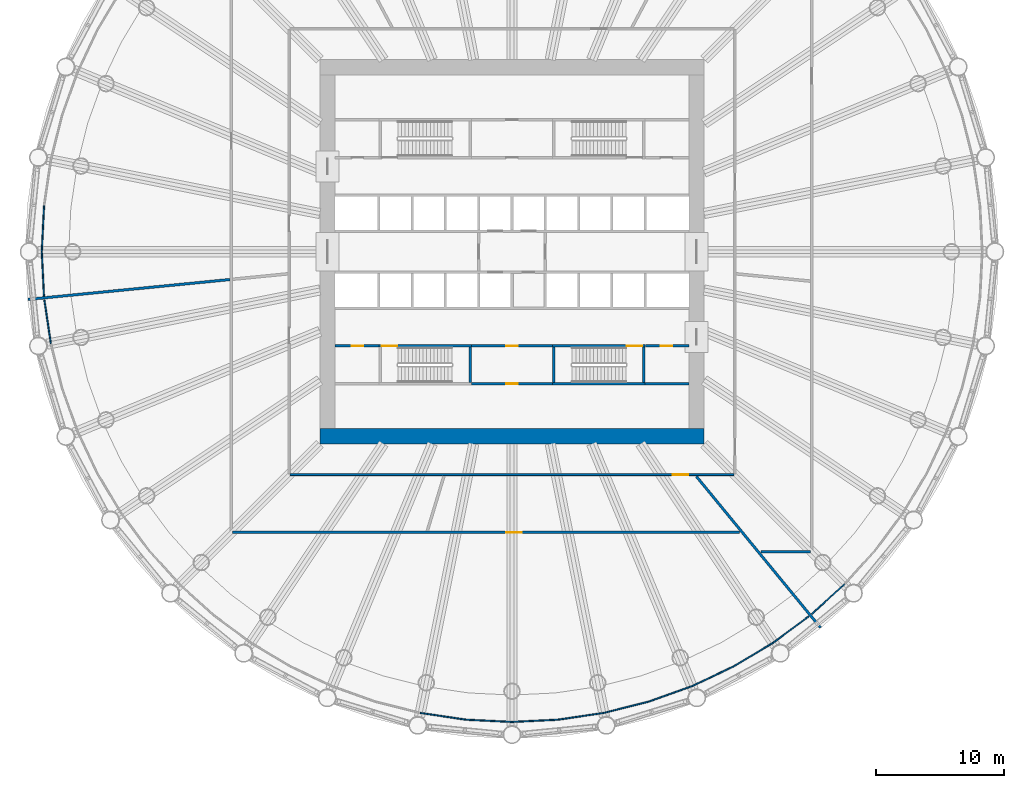
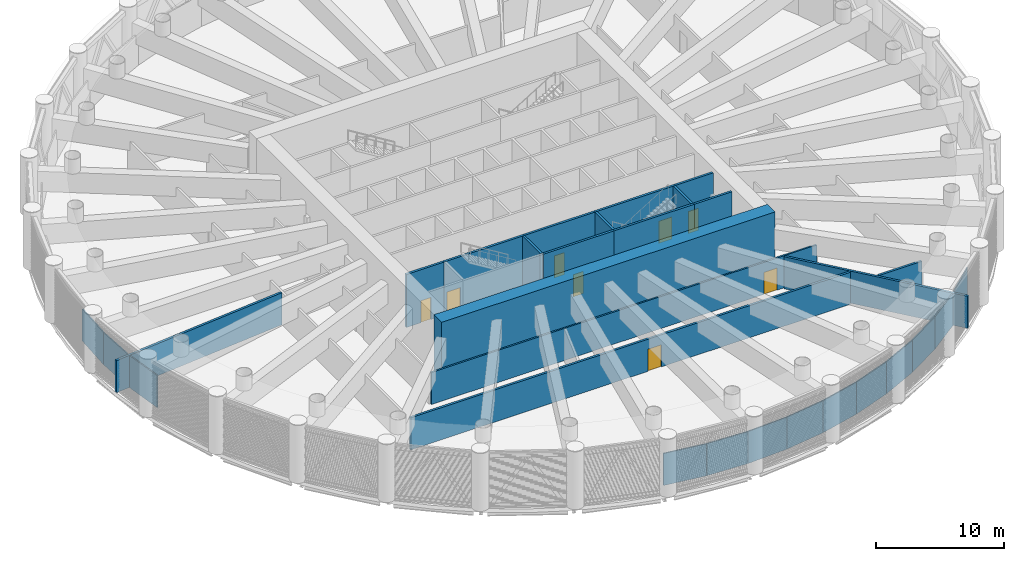
# One storey, part 8 of 26: 30 walls, 8 doors, 8 openings.
"""IFC4 building model written with IfcOpenShell, lengths in metres."""

from ifc_helpers import new_model, si_unit, direction, frame, frame_2d, origin, place, context, subcontext, project, spatial, polyline, rectangle, outline, extrude, material, layer, layer_set, type_object, element, fill, save


model = new_model("IFC4")

# Units and contexts
model_context = context("Model", 3, precision=1e-05, world=origin(), true_north=direction((0.0, 1.0)))
body_context = subcontext(model_context, "Body", "Model", "MODEL_VIEW")
ifc_project = project(units=[si_unit("LENGTHUNIT", "METRE"), si_unit("AREAUNIT", "SQUARE_METRE"), si_unit("VOLUMEUNIT", "CUBIC_METRE"), si_unit("PLANEANGLEUNIT", "RADIAN"), si_unit("MASSUNIT", "GRAM", prefix="KILO")], contexts=[model_context])

# Site, building, storey
site_placement = place(None, origin())
site = spatial("IfcSite", under=ifc_project, at=site_placement, CompositionType="ELEMENT")
building_placement = place(site_placement, origin())
building = spatial("IfcBuilding", under=site, at=building_placement, Name="Corvane Civic Tower", CompositionType="ELEMENT")
storey_placement = place(building_placement, frame((0.0, 0.0, 85.0)))
storey = spatial("IfcBuildingStorey", under=building, at=storey_placement, Name="L19", CompositionType="ELEMENT", Elevation=85.0)

# Wall
ifc_material_1 = material(Name="Concrete C80/95", Category="concrete")
ifc_layer_1 = layer(ifc_material_1, 1.199951171875)
ifc_layer_set_1 = layer_set([ifc_layer_1], Name="Concrete C80/95")
wall_type_1 = type_object("IfcWallType", Name="CORE WALL 1200 C80/95", PredefinedType="SHEAR", material=ifc_layer_set_1)
wall_1_placement = place(storey_placement, frame((-15.0, -14.39990234375, 0.0), z_axis=(0.0, 0.0, 1.0), x_axis=(1.0, 0.0, 0.0)))
element("IfcWall", 1, at=wall_1_placement, inside=storey, type_object=wall_type_1, Name="W-L19-core-S", PredefinedType="SHEAR", context=body_context, shape_type="SweptSolid", body=[
    extrude(rectangle(XDim=30.0, YDim=1.199951171875, at=frame_2d((15.0, 0.0))), origin(), (0.0, 0.0, 1.0), 5.5),
])

# Wall, opening, door
ifc_material_2 = material(Name="Concrete C30/37", Category="concrete")
ifc_layer_2 = layer(ifc_material_2, 0.199951171875)
ifc_layer_set_2 = layer_set([ifc_layer_2], Name="Concrete C30/37")
wall_type_2 = type_object("IfcWallType", Name="CR-WALL-200", PredefinedType="PARTITIONING", material=ifc_layer_set_2)
wall_2_placement = place(storey_placement, frame((-3.14990234375, -10.300048828125, 0.0), z_axis=(0.0, 0.0, 1.0), x_axis=(1.0, 0.0, 0.0)))
wall_2 = element("IfcWall", 2, at=wall_2_placement, inside=storey, type_object=wall_type_2, Name="L19 partition wall", PredefinedType="PARTITIONING", context=body_context, shape_type="SweptSolid", body=[
    extrude(rectangle(XDim=6.2998046875, YDim=0.199951171875, at=frame_2d((3.14990234375, 0.0))), origin(), (0.0, 0.0, 1.0), 5.050048828125),
])
opening_1_placement = place(wall_2_placement, frame((2.699951171875, 0.0, 0.0)))
opening_1 = element("IfcOpeningElement", 3, at=opening_1_placement, cuts=wall_2, Name="Opening L19.C05", PredefinedType="OPENING", context=body_context, shape_type="SweptSolid", body=[
    extrude(rectangle(XDim=0.89990234375, YDim=2.10009765625, at=frame_2d((0.449951171875, 1.050048828125))), frame((0.0, 0.10986328125, 0.0), z_axis=(0.0, -1.0, 0.0), x_axis=(1.0, 0.0, 0.0)), (0.0, 0.0, 1.0), 0.219970703125),
])
ifc_material_3 = material(Name="Steel fire door leaf", Category="steel")
door_type_1 = type_object("IfcDoorType", Name="CR-DOOR-900", OperationType="SINGLE_SWING_LEFT", PredefinedType="DOOR", material=ifc_material_3)
door_1_placement = place(opening_1_placement, origin())
door_1 = element("IfcDoor", 4, at=door_1_placement, inside=storey, type_object=door_type_1, Name="L19 door", OperationType="SINGLE_SWING_LEFT", OverallHeight=2.10009765625, OverallWidth=0.89990234375, PredefinedType="DOOR", context=body_context, shape_type="SweptSolid", body=[
    extrude(rectangle(XDim=0.89990234375, YDim=2.10009765625, at=frame_2d((0.449951171875, 1.050048828125))), frame((0.0, 0.02490234375, 0.0), z_axis=(0.0, -1.0, 0.0), x_axis=(1.0, 0.0, 0.0)), (0.0, 0.0, 1.0), 0.050048828125),
])
fill(opening_1, door_1)

wall_3_placement = place(storey_placement, frame((-13.800048828125, -7.35009765625, 0.0), z_axis=(0.0, 0.0, 1.0), x_axis=(1.0, 0.0, 0.0)))
wall_3 = element("IfcWall", 5, at=wall_3_placement, inside=storey, type_object=wall_type_2, Name="L19 core partition wall", PredefinedType="PARTITIONING", context=body_context, shape_type="SweptSolid", body=[
    extrude(rectangle(XDim=3.400146484375, YDim=0.199951171875, at=frame_2d((1.7001953125, 0.0))), origin(), (0.0, 0.0, 1.0), 5.050048828125),
])
opening_2_placement = place(wall_3_placement, frame((1.300048828125, 0.0, 0.0)))
opening_2 = element("IfcOpeningElement", 6, at=opening_2_placement, cuts=wall_3, Name="Opening L19.C07", PredefinedType="OPENING", context=body_context, shape_type="SweptSolid", body=[
    extrude(rectangle(XDim=0.89990234375, YDim=2.10009765625, at=frame_2d((0.449951171875, 1.050048828125))), frame((0.0, 0.10986328125, 0.0), z_axis=(0.0, -1.0, 0.0), x_axis=(1.0, 0.0, 0.0)), (0.0, 0.0, 1.0), 0.219970703125),
])
door_2_placement = place(opening_2_placement, origin())
door_2 = element("IfcDoor", 7, at=door_2_placement, inside=storey, type_object=door_type_1, Name="L19 door", OperationType="SINGLE_SWING_LEFT", OverallHeight=2.10009765625, OverallWidth=0.89990234375, PredefinedType="DOOR", context=body_context, shape_type="SweptSolid", body=[
    extrude(rectangle(XDim=0.89990234375, YDim=2.10009765625, at=frame_2d((0.449951171875, 1.050048828125))), frame((0.0, 0.02490234375, 0.0), z_axis=(0.0, -1.0, 0.0), x_axis=(1.0, 0.0, 0.0)), (0.0, 0.0, 1.0), 0.050048828125),
])
fill(opening_2, door_2)

wall_4_placement = place(storey_placement, frame((-3.14990234375, -7.35009765625, 0.0), z_axis=(0.0, 0.0, 1.0), x_axis=(1.0, 0.0, 0.0)))
wall_4 = element("IfcWall", 8, at=wall_4_placement, inside=storey, type_object=wall_type_2, Name="L19 core partition wall", PredefinedType="PARTITIONING", context=body_context, shape_type="SweptSolid", body=[
    extrude(rectangle(XDim=6.2998046875, YDim=0.199951171875, at=frame_2d((3.14990234375, 0.0))), origin(), (0.0, 0.0, 1.0), 5.050048828125),
])
opening_3_placement = place(wall_4_placement, frame((2.699951171875, 0.0, 0.0)))
opening_3 = element("IfcOpeningElement", 9, at=opening_3_placement, cuts=wall_4, Name="Opening L19.C03", PredefinedType="OPENING", context=body_context, shape_type="SweptSolid", body=[
    extrude(rectangle(XDim=0.89990234375, YDim=2.10009765625, at=frame_2d((0.449951171875, 1.050048828125))), frame((0.0, 0.10986328125, 0.0), z_axis=(0.0, -1.0, 0.0), x_axis=(1.0, 0.0, 0.0)), (0.0, 0.0, 1.0), 0.219970703125),
])
door_3_placement = place(opening_3_placement, origin())
door_3 = element("IfcDoor", 10, at=door_3_placement, inside=storey, type_object=door_type_1, Name="L19 door", OperationType="SINGLE_SWING_LEFT", OverallHeight=2.10009765625, OverallWidth=0.89990234375, PredefinedType="DOOR", context=body_context, shape_type="SweptSolid", body=[
    extrude(rectangle(XDim=0.89990234375, YDim=2.10009765625, at=frame_2d((0.449951171875, 1.050048828125))), frame((0.0, 0.02490234375, 0.0), z_axis=(0.0, -1.0, 0.0), x_axis=(1.0, 0.0, 0.0)), (0.0, 0.0, 1.0), 0.050048828125),
])
fill(opening_3, door_3)

wall_5_placement = place(storey_placement, frame((10.39990234375, -7.35009765625, 0.0), z_axis=(0.0, 0.0, 1.0), x_axis=(1.0, 0.0, 0.0)))
wall_5 = element("IfcWall", 11, at=wall_5_placement, inside=storey, type_object=wall_type_2, Name="L19 core partition wall", PredefinedType="PARTITIONING", context=body_context, shape_type="SweptSolid", body=[
    extrude(rectangle(XDim=3.400146484375, YDim=0.199951171875, at=frame_2d((1.7001953125, 0.0))), origin(), (0.0, 0.0, 1.0), 5.050048828125),
])
opening_4_placement = place(wall_5_placement, frame((1.199951171875, 0.0, 0.0)))
opening_4 = element("IfcOpeningElement", 12, at=opening_4_placement, cuts=wall_5, Name="Opening L19.C09", PredefinedType="OPENING", context=body_context, shape_type="SweptSolid", body=[
    extrude(rectangle(XDim=0.89990234375, YDim=2.10009765625, at=frame_2d((0.449951171875, 1.050048828125))), frame((0.0, 0.10986328125, 0.0), z_axis=(0.0, -1.0, 0.0), x_axis=(1.0, 0.0, 0.0)), (0.0, 0.0, 1.0), 0.219970703125),
])
door_4_placement = place(opening_4_placement, origin())
door_4 = element("IfcDoor", 13, at=door_4_placement, inside=storey, type_object=door_type_1, Name="L19 door", OperationType="SINGLE_SWING_LEFT", OverallHeight=2.10009765625, OverallWidth=0.89990234375, PredefinedType="DOOR", context=body_context, shape_type="SweptSolid", body=[
    extrude(rectangle(XDim=0.89990234375, YDim=2.10009765625, at=frame_2d((0.449951171875, 1.050048828125))), frame((0.0, 0.02490234375, 0.0), z_axis=(0.0, -1.0, 0.0), x_axis=(1.0, 0.0, 0.0)), (0.0, 0.0, 1.0), 0.050048828125),
])
fill(opening_4, door_4)

# Walls
wall_6_placement = place(storey_placement, origin())
element("IfcWall", 14, at=wall_6_placement, inside=storey, type_object=wall_type_2, Name="L19 core partition wall", PredefinedType="PARTITIONING", context=body_context, shape_type="SweptSolid", body=[
    extrude(outline(polyline([(13.800048828125, -10.39990234375), (10.39990234375, -10.39990234375), (10.39990234375, -10.199951171875), (13.800048828125, -10.199951171875), (13.800048828125, -10.39990234375)])), origin(), (0.0, 0.0, 1.0), 5.050048828125),
])
ifc_material_4 = material(Name="Plasterboard")
ifc_layer_3 = layer(ifc_material_4, 0.10009765625)
ifc_layer_set_3 = layer_set([ifc_layer_3], Name="Plasterboard")
wall_type_3 = type_object("IfcWallType", Name="Partition 100 plasterboard on studs", PredefinedType="PARTITIONING", material=ifc_layer_set_3)
for number, where, z_axis, x_axis, name in (
    (15, (-36.69873046875, 0.0, 0.0), (0.0, 0.0, 1.0), (0.049093274151, -0.998794198238, 0.0), "Partition L19.018"),
    (16, (-36.50146484375, -3.73583984375, 0.0), (0.0, 0.0, 1.0), (0.146712261814, -0.989179211384, 0.0), "Partition L19.021"),
):
    element("IfcWall", number, at=place(storey_placement, frame(where, z_axis=z_axis, x_axis=x_axis)), inside=storey, type_object=wall_type_3, Name=name, PredefinedType="PARTITIONING", context=body_context, shape_type="SweptSolid", body=[
        extrude(rectangle(XDim=3.461181640625, YDim=0.10009765625, at=frame_2d((1.73046875, 0.0))), origin(), (0.0, 0.0, 1.0), 3.050048828125),
    ])
for number, where, z_axis, x_axis, name in (
    (17, (-7.15966796875, -35.99365234375, 0.0), (0.0, 0.0, 1.0), (0.989181613204, -0.14669606709, 0.0), "Partition L19.046"),
    (18, (-3.59716796875, -36.52197265625, 0.0), (0.0, 0.0, 1.0), (0.998794907992, -0.049078832183, 0.0), "Partition L19.048"),
    (19, (0.0, -36.69873046875, 0.0), (0.0, 0.0, 1.0), (0.998794907992, 0.049078832183, 0.0), "Partition L19.050"),
    (20, (3.59716796875, -36.52197265625, 0.0), (0.0, 0.0, 1.0), (0.989181613204, 0.14669606709, 0.0), "Partition L19.052"),
):
    element("IfcWall", number, at=place(storey_placement, frame(where, z_axis=z_axis, x_axis=x_axis)), inside=storey, type_object=wall_type_3, Name=name, PredefinedType="PARTITIONING", context=body_context, shape_type="SweptSolid", body=[
        extrude(rectangle(XDim=3.6015625, YDim=0.10009765625, at=frame_2d((1.80078125, 0.0))), origin(), (0.0, 0.0, 1.0), 3.050048828125),
    ])
for number, where, z_axis, x_axis, name in (
    (21, (7.15966796875, -35.99365234375, 0.0), (0.0, 0.0, 1.0), (0.970018755588, 0.243030067704, 0.0), "Partition L19.054"),
    (22, (10.653076171875, -35.118408203125, 0.0), (0.0, 0.0, 1.0), (0.94155618516, 0.336855978405, 0.0), "Partition L19.056"),
    (23, (14.0439453125, -33.9052734375, 0.0), (0.0, 0.0, 1.0), (0.903988907608, 0.427555908533, 0.0), "Partition L19.058"),
):
    element("IfcWall", number, at=place(storey_placement, frame(where, z_axis=z_axis, x_axis=x_axis)), inside=storey, type_object=wall_type_3, Name=name, PredefinedType="PARTITIONING", context=body_context, shape_type="SweptSolid", body=[
        extrude(rectangle(XDim=3.601318359375, YDim=0.10009765625, at=frame_2d((1.80078125, 0.0))), origin(), (0.0, 0.0, 1.0), 3.050048828125),
    ])
wall_7_placement = place(storey_placement, frame((17.299560546875, -32.365478515625, 0.0), z_axis=(0.0, 0.0, 1.0), x_axis=(0.857726109282, 0.514106916367, 0.0)))
element("IfcWall", 24, at=wall_7_placement, inside=storey, type_object=wall_type_3, Name="Partition L19.060", PredefinedType="PARTITIONING", context=body_context, shape_type="SweptSolid", body=[
    extrude(rectangle(XDim=3.6015625, YDim=0.10009765625, at=frame_2d((1.80078125, 0.0))), origin(), (0.0, 0.0, 1.0), 3.050048828125),
])
wall_8_placement = place(storey_placement, frame((20.388671875, -30.513916015625, 0.0), z_axis=(0.0, 0.0, 1.0), x_axis=(0.803179680099, 0.595736855899, 0.0)))
element("IfcWall", 25, at=wall_8_placement, inside=storey, type_object=wall_type_3, Name="Partition L19.062", PredefinedType="PARTITIONING", context=body_context, shape_type="SweptSolid", body=[
    extrude(rectangle(XDim=3.461181640625, YDim=0.10009765625, at=frame_2d((1.73046875, 0.0))), origin(), (0.0, 0.0, 1.0), 3.050048828125),
])
wall_9_placement = place(storey_placement, frame((23.38525390625, -28.2744140625, 0.0), z_axis=(0.0, 0.0, 1.0), x_axis=(0.740957337875, 0.671552100324, 0.0)))
element("IfcWall", 26, at=wall_9_placement, inside=storey, type_object=wall_type_3, Name="Partition L19.064", PredefinedType="PARTITIONING", context=body_context, shape_type="SweptSolid", body=[
    extrude(rectangle(XDim=3.46142578125, YDim=0.10009765625, at=frame_2d((1.730712890625, 0.0))), origin(), (0.0, 0.0, 1.0), 3.050048828125),
])
wall_10_placement = place(storey_placement, frame((-36.69873046875, 0.0, 0.0), z_axis=(0.0, 0.0, 1.0), x_axis=(0.049078832183, 0.998794907992, 0.0)))
element("IfcWall", 27, at=wall_10_placement, inside=storey, type_object=wall_type_3, Name="Partition L19.081", PredefinedType="PARTITIONING", context=body_context, shape_type="SweptSolid", body=[
    extrude(rectangle(XDim=3.6015625, YDim=0.10009765625, at=frame_2d((1.80078125, 0.0))), origin(), (0.0, 0.0, 1.0), 3.050048828125),
])
ifc_material_5 = material(Name="Gypsum fibreboard")
ifc_layer_4 = layer(ifc_material_5, 0.199951171875)
ifc_layer_set_4 = layer_set([ifc_layer_4], Name="Gypsum fibreboard")
wall_type_4 = type_object("IfcWallType", Name="Plant and refuge wall 200 EI 120", PredefinedType="PARTITIONING", material=ifc_layer_set_4)
wall_11_placement = place(storey_placement, frame((14.393310546875, -17.538330078125, 0.0), z_axis=(0.0, 0.0, 1.0), x_axis=(0.63438696375, -0.773015640349, 0.0)))
element("IfcWall", 28, at=wall_11_placement, inside=storey, type_object=wall_type_4, Name="Partition L19.001", PredefinedType="PARTITIONING", context=body_context, shape_type="SweptSolid", body=[
    extrude(rectangle(XDim=15.26171875, YDim=0.199951171875, at=frame_2d((7.630859375, 0.0))), origin(), (0.0, 0.0, 1.0), 3.050048828125),
])
wall_12_placement = place(storey_placement, frame((19.415283203125, -23.39990234375, 0.0), z_axis=(0.0, 0.0, 1.0), x_axis=(1.0, 0.0, 0.0)))
element("IfcWall", 29, at=wall_12_placement, inside=storey, type_object=wall_type_4, Name="Partition L19.002", PredefinedType="PARTITIONING", context=body_context, shape_type="SweptSolid", body=[
    extrude(rectangle(XDim=3.884765625, YDim=0.199951171875, at=frame_2d((1.9423828125, 0.0))), origin(), (0.0, 0.0, 1.0), 3.050048828125),
])

# Wall, opening, door
wall_13_placement = place(storey_placement, frame((-21.800048828125, -21.89990234375, 0.0), z_axis=(0.0, 0.0, 1.0), x_axis=(1.0, 0.0, 0.0)))
wall_13 = element("IfcWall", 30, at=wall_13_placement, inside=storey, type_object=wall_type_4, Name="Partition L19.004", PredefinedType="PARTITIONING", context=body_context, shape_type="SweptSolid", body=[
    extrude(rectangle(XDim=39.5615234375, YDim=0.199951171875, at=frame_2d((19.78076171875, 0.0))), origin(), (0.0, 0.0, 1.0), 3.050048828125),
])
opening_5_placement = place(wall_13_placement, frame((21.34326171875, 0.0, 0.0)))
opening_5 = element("IfcOpeningElement", 31, at=opening_5_placement, cuts=wall_13, Name="Opening L19.001", PredefinedType="OPENING", context=body_context, shape_type="SweptSolid", body=[
    extrude(rectangle(XDim=1.199951171875, YDim=2.10009765625, at=frame_2d((0.60009765625, 1.050048828125))), frame((0.0, 0.10986328125, 0.0), z_axis=(0.0, -1.0, 0.0), x_axis=(1.0, 0.0, 0.0)), (0.0, 0.0, 1.0), 0.219970703125),
])
ifc_material_6 = material(Name="Steel and timber", Category="steel")
door_type_2 = type_object("IfcDoorType", Name="Fire door FD60 1200", OperationType="NOTDEFINED", PredefinedType="DOOR", material=ifc_material_6)
door_5_placement = place(opening_5_placement, frame((1.199951171875, 0.0, 0.0), z_axis=(0.0, 0.0, 1.0), x_axis=(-1.0, 0.0, 0.0)))
door_5 = element("IfcDoor", 32, at=door_5_placement, inside=storey, type_object=door_type_2, Name="Door L19.001", OperationType="SINGLE_SWING_LEFT", OverallHeight=2.10009765625, OverallWidth=1.199951171875, PredefinedType="DOOR", context=body_context, shape_type="SweptSolid", body=[
    extrude(rectangle(XDim=1.199951171875, YDim=2.10009765625, at=frame_2d((0.60009765625, 1.050048828125))), frame((0.0, 0.02490234375, 0.0), z_axis=(0.0, -1.0, 0.0), x_axis=(1.0, 0.0, 0.0)), (0.0, 0.0, 1.0), 0.050048828125),
])
fill(opening_5, door_5)

# Wall
wall_14_placement = place(storey_placement, frame((-37.767333984375, -3.7197265625, 0.0), z_axis=(0.0, 0.0, 1.0), x_axis=(0.995184622362, 0.098018199407, 0.0)))
element("IfcWall", 33, at=wall_14_placement, inside=storey, type_object=wall_type_4, Name="Partition L19.010", PredefinedType="PARTITIONING", context=body_context, shape_type="SweptSolid", body=[
    extrude(rectangle(XDim=15.833740234375, YDim=0.199951171875, at=frame_2d((7.9169921875, 0.0))), origin(), (0.0, 0.0, 1.0), 3.050048828125),
])

# Wall, opening, door
ifc_material_7 = material(Name="Concrete C50/60", Category="concrete")
ifc_layer_5 = layer(ifc_material_7, 0.199951171875)
ifc_layer_set_5 = layer_set([ifc_layer_5], Name="Concrete C50/60")
wall_type_5 = type_object("IfcWallType", Name="ST-WALL-200", PredefinedType="SHEAR", material=ifc_layer_set_5)
wall_15_placement = place(storey_placement, frame((-10.39990234375, -7.35009765625, 0.0), z_axis=(0.0, 0.0, 1.0), x_axis=(1.0, 0.0, 0.0)))
wall_15 = element("IfcWall", 34, at=wall_15_placement, inside=storey, type_object=wall_type_5, Name="L19 stair enclosure wall", PredefinedType="SHEAR", context=body_context, shape_type="SweptSolid", body=[
    extrude(rectangle(XDim=7.25, YDim=0.199951171875, at=frame_2d((3.625, 0.0))), origin(), (0.0, 0.0, 1.0), 5.050048828125),
])
opening_6_placement = place(wall_15_placement, frame((0.25, 0.0, 0.0)))
opening_6 = element("IfcOpeningElement", 35, at=opening_6_placement, cuts=wall_15, Name="Opening L19.C13", PredefinedType="OPENING", context=body_context, shape_type="SweptSolid", body=[
    extrude(rectangle(XDim=1.199951171875, YDim=2.10009765625, at=frame_2d((0.60009765625, 1.050048828125))), frame((0.0, 0.10986328125, 0.0), z_axis=(0.0, -1.0, 0.0), x_axis=(1.0, 0.0, 0.0)), (0.0, 0.0, 1.0), 0.219970703125),
])
ifc_material_8 = material(Name="Steel fire door leaf", Category="steel")
door_type_3 = type_object("IfcDoorType", Name="ST-DOOR-1200", OperationType="SINGLE_SWING_RIGHT", PredefinedType="DOOR", material=ifc_material_8)
door_6_placement = place(opening_6_placement, origin())
door_6 = element("IfcDoor", 36, at=door_6_placement, inside=storey, type_object=door_type_3, Name="L19 stair door", OperationType="SINGLE_SWING_RIGHT", OverallHeight=2.10009765625, OverallWidth=1.199951171875, PredefinedType="DOOR", context=body_context, shape_type="SweptSolid", body=[
    extrude(rectangle(XDim=1.199951171875, YDim=2.10009765625, at=frame_2d((0.60009765625, 1.050048828125))), frame((0.0, 0.02490234375, 0.0), z_axis=(0.0, -1.0, 0.0), x_axis=(1.0, 0.0, 0.0)), (0.0, 0.0, 1.0), 0.050048828125),
])
fill(opening_6, door_6)

wall_16_placement = place(storey_placement, frame((3.14990234375, -7.35009765625, 0.0), z_axis=(0.0, 0.0, 1.0), x_axis=(1.0, 0.0, 0.0)))
wall_16 = element("IfcWall", 37, at=wall_16_placement, inside=storey, type_object=wall_type_5, Name="L19 stair enclosure wall", PredefinedType="SHEAR", context=body_context, shape_type="SweptSolid", body=[
    extrude(rectangle(XDim=7.25, YDim=0.199951171875, at=frame_2d((3.625, 0.0))), origin(), (0.0, 0.0, 1.0), 5.050048828125),
])
opening_7_placement = place(wall_16_placement, frame((5.800048828125, 0.0, 0.0)))
opening_7 = element("IfcOpeningElement", 38, at=opening_7_placement, cuts=wall_16, Name="Opening L19.C12", PredefinedType="OPENING", context=body_context, shape_type="SweptSolid", body=[
    extrude(rectangle(XDim=1.199951171875, YDim=2.10009765625, at=frame_2d((0.60009765625, 1.050048828125))), frame((0.0, 0.10986328125, 0.0), z_axis=(0.0, -1.0, 0.0), x_axis=(1.0, 0.0, 0.0)), (0.0, 0.0, 1.0), 0.219970703125),
])
door_7_placement = place(opening_7_placement, origin())
door_7 = element("IfcDoor", 39, at=door_7_placement, inside=storey, type_object=door_type_3, Name="L19 stair door", OperationType="SINGLE_SWING_RIGHT", OverallHeight=2.10009765625, OverallWidth=1.199951171875, PredefinedType="DOOR", context=body_context, shape_type="SweptSolid", body=[
    extrude(rectangle(XDim=1.199951171875, YDim=2.10009765625, at=frame_2d((0.60009765625, 1.050048828125))), frame((0.0, 0.02490234375, 0.0), z_axis=(0.0, -1.0, 0.0), x_axis=(1.0, 0.0, 0.0)), (0.0, 0.0, 1.0), 0.050048828125),
])
fill(opening_7, door_7)

# Walls
wall_17_placement = place(storey_placement, origin())
element("IfcWall", 40, at=wall_17_placement, inside=storey, type_object=wall_type_5, Name="L19 stair enclosure wall", PredefinedType="SHEAR", context=body_context, shape_type="SweptSolid", body=[
    extrude(outline(polyline([(10.39990234375, -10.39990234375), (3.14990234375, -10.39990234375), (3.14990234375, -10.199951171875), (10.39990234375, -10.199951171875), (10.39990234375, -10.39990234375)])), origin(), (0.0, 0.0, 1.0), 5.050048828125),
])
wall_18_placement = place(storey_placement, origin())
element("IfcWall", 41, at=wall_18_placement, inside=storey, type_object=wall_type_5, Name="L19 stair enclosure wall", PredefinedType="SHEAR", context=body_context, shape_type="SweptSolid", body=[
    extrude(outline(polyline([(-3.14990234375, -7.449951171875), (-3.14990234375, -10.199951171875), (-3.35009765625, -10.199951171875), (-3.35009765625, -7.449951171875), (-3.14990234375, -7.449951171875)])), origin(), (0.0, 0.0, 1.0), 5.050048828125),
])
wall_19_placement = place(storey_placement, origin())
element("IfcWall", 42, at=wall_19_placement, inside=storey, type_object=wall_type_5, Name="L19 stair enclosure wall", PredefinedType="SHEAR", context=body_context, shape_type="SweptSolid", body=[
    extrude(outline(polyline([(3.35009765625, -7.449951171875), (3.35009765625, -10.199951171875), (3.14990234375, -10.199951171875), (3.14990234375, -7.449951171875), (3.35009765625, -7.449951171875)])), origin(), (0.0, 0.0, 1.0), 5.050048828125),
])
wall_20_placement = place(storey_placement, origin())
element("IfcWall", 43, at=wall_20_placement, inside=storey, type_object=wall_type_5, Name="L19 stair enclosure wall", PredefinedType="SHEAR", context=body_context, shape_type="SweptSolid", body=[
    extrude(outline(polyline([(10.39990234375, -7.449951171875), (10.39990234375, -10.199951171875), (10.199951171875, -10.199951171875), (10.199951171875, -7.449951171875), (10.39990234375, -7.449951171875)])), origin(), (0.0, 0.0, 1.0), 5.050048828125),
])

# Wall, opening, door
ifc_material_9 = material(Name="Plasterboard")
ifc_layer_6 = layer(ifc_material_9, 0.14990234375)
ifc_layer_set_6 = layer_set([ifc_layer_6], Name="Plasterboard")
wall_type_6 = type_object("IfcWallType", Name="Tenancy wall 150 EI 60", PredefinedType="PARTITIONING", material=ifc_layer_set_6)
wall_21_placement = place(storey_placement, frame((-17.324951171875, -17.39990234375, 0.0), z_axis=(0.0, 0.0, 1.0), x_axis=(1.0, 0.0, 0.0)))
wall_21 = element("IfcWall", 44, at=wall_21_placement, inside=storey, type_object=wall_type_6, Name="Partition L19.007", PredefinedType="PARTITIONING", context=body_context, shape_type="SweptSolid", body=[
    extrude(rectangle(XDim=34.64990234375, YDim=0.14990234375, at=frame_2d((17.324951171875, 0.0))), origin(), (0.0, 0.0, 1.0), 3.050048828125),
])
opening_8_placement = place(wall_21_placement, frame((29.88671875, 0.0, 0.0)))
opening_8 = element("IfcOpeningElement", 45, at=opening_8_placement, cuts=wall_21, Name="Opening L19.002", PredefinedType="OPENING", context=body_context, shape_type="SweptSolid", body=[
    extrude(rectangle(XDim=1.199951171875, YDim=2.10009765625, at=frame_2d((0.60009765625, 1.050048828125))), frame((0.0, 0.0849609375, 0.0), z_axis=(0.0, -1.0, 0.0), x_axis=(1.0, 0.0, 0.0)), (0.0, 0.0, 1.0), 0.169921875),
])
door_8_placement = place(opening_8_placement, frame((1.199951171875, 0.0, 0.0), z_axis=(0.0, 0.0, 1.0), x_axis=(-1.0, 0.0, 0.0)))
door_8 = element("IfcDoor", 46, at=door_8_placement, inside=storey, type_object=door_type_2, Name="Door L19.002", OperationType="SINGLE_SWING_RIGHT", OverallHeight=2.10009765625, OverallWidth=1.199951171875, PredefinedType="DOOR", context=body_context, shape_type="SweptSolid", body=[
    extrude(rectangle(XDim=1.199951171875, YDim=2.10009765625, at=frame_2d((0.60009765625, 1.050048828125))), frame((0.0, 0.02490234375, 0.0), z_axis=(0.0, -1.0, 0.0), x_axis=(1.0, 0.0, 0.0)), (0.0, 0.0, 1.0), 0.050048828125),
])
fill(opening_8, door_8)

save(model, "model.ifc")
